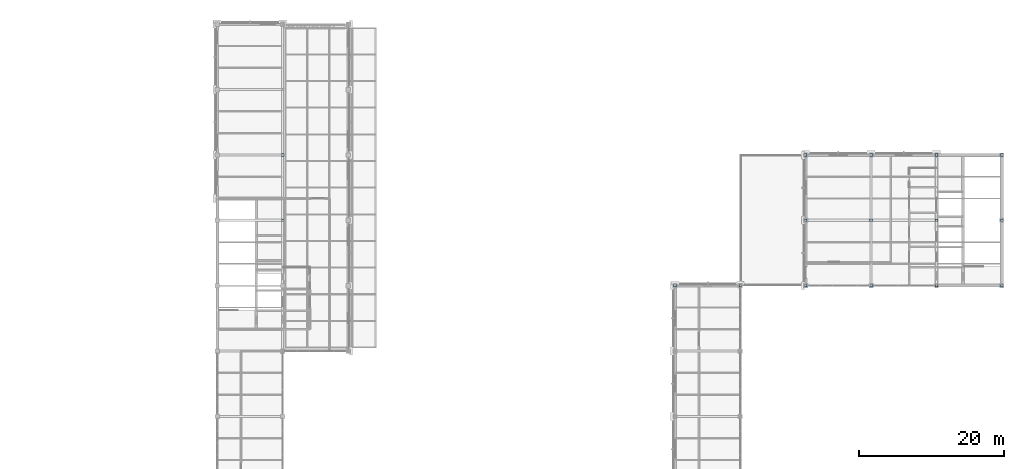
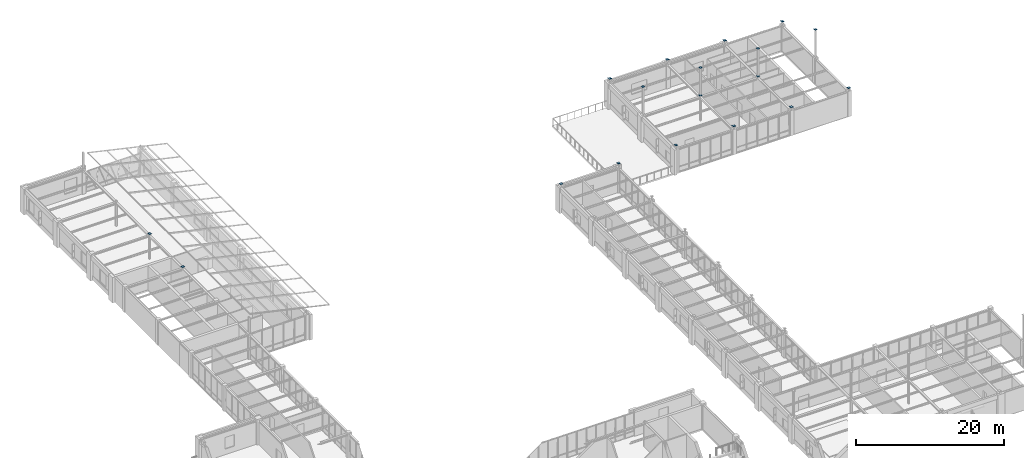
# One storey, part 79 of 97: 18 plates.
"""IFC4 building model written with IfcOpenShell, lengths in metres."""

from ifc_helpers import new_model, si_unit, direction, frame, origin, origin_2d, place, context, subcontext, project, spatial, rectangle, extrude, material, layer, layer_set, type_object, element, save


model = new_model("IFC4")

# Units and contexts
model_context = context("Model", 3, precision=1e-05, world=origin(), true_north=direction((0.0, 1.0)))
body_context = subcontext(model_context, "Body", "Model", "MODEL_VIEW")
ifc_project = project(units=[si_unit("LENGTHUNIT", "METRE"), si_unit("AREAUNIT", "SQUARE_METRE"), si_unit("VOLUMEUNIT", "CUBIC_METRE"), si_unit("PLANEANGLEUNIT", "RADIAN"), si_unit("MASSUNIT", "GRAM", prefix="KILO")], contexts=[model_context])

# Site, building, storey
site_placement = place(None, origin())
site = spatial("IfcSite", under=ifc_project, at=site_placement, CompositionType="ELEMENT")
building_placement = place(site_placement, origin())
building = spatial("IfcBuilding", under=site, at=building_placement, Name="Lykobir Media Centre", CompositionType="ELEMENT")
storey_placement = place(building_placement, frame((0.0, 0.0, 23.39990234375)))
storey = spatial("IfcBuildingStorey", under=building, at=storey_placement, Name="L05", CompositionType="ELEMENT", Elevation=23.39990234375)

# Plates
ifc_material = material(Name="Steel S355", Category="steel")
ifc_layer_1 = layer(ifc_material, 0.02001953125, Name="Steel S355")
ifc_layer_set_1 = layer_set([ifc_layer_1], Name="Steel S355")
plate_type_1 = type_object("IfcPlateType", Name="CP-320", PredefinedType="SHEET", material=ifc_layer_set_1)
for number, where, z_axis, x_axis, name in (
    (1, (90.0, 72.0, 4.46533203125), (0.0, 0.0, 1.0), (1.0, 0.0, 0.0), "Structural plate PLT-L05-0900-0720-0279"),
    (2, (99.0, 72.0, 4.72021484375), (0.0, 0.0, 1.0), (1.0, 0.0, 0.0), "Structural plate PLT-L05-0990-0720-0281"),
    (3, (108.0, 72.0, 4.570068359375), (0.0, 0.0, 1.0), (1.0, 0.0, 0.0), "Structural plate PLT-L05-1080-0720-0280"),
    (4, (108.0, 81.0, 8.766845703125), (0.0, 0.0, 1.0), (1.0, 0.0, 0.0), "Structural plate PLT-L05-1080-0810-0322"),
    (5, (108.0, 90.0, 4.663330078125), (0.0, 0.0, 1.0), (1.0, 0.0, 0.0), "Structural plate PLT-L05-1080-0900-0281"),
    (6, (117.0, 72.0, 4.570068359375), (0.0, 0.0, 1.0), (1.0, 0.0, 0.0), "Structural plate PLT-L05-1170-0720-0280"),
    (7, (117.0, 81.0, 8.766845703125), (0.0, 0.0, 1.0), (1.0, 0.0, 0.0), "Structural plate PLT-L05-1170-0810-0322"),
    (8, (117.0, 90.0, 4.663330078125), (0.0, 0.0, 1.0), (1.0, 0.0, 0.0), "Structural plate PLT-L05-1170-0900-0281"),
    (9, (126.0, 72.0, 4.570068359375), (0.0, 0.0, 1.0), (1.0, 0.0, 0.0), "Structural plate PLT-L05-1260-0720-0280"),
    (10, (126.0, 81.0, 8.766845703125), (0.0, 0.0, 1.0), (1.0, 0.0, 0.0), "Structural plate PLT-L05-1260-0810-0322"),
    (11, (126.0, 90.0, 4.663330078125), (0.0, 0.0, 1.0), (1.0, 0.0, 0.0), "Structural plate PLT-L05-1260-0900-0281"),
    (12, (135.0, 72.0, 4.570068359375), (0.0, 0.0, 1.0), (1.0, 0.0, 0.0), "Structural plate PLT-L05-1350-0720-0280"),
    (13, (135.0, 81.0, 8.766845703125), (0.0, 0.0, 1.0), (1.0, 0.0, 0.0), "Structural plate PLT-L05-1350-0810-0322"),
    (14, (135.0, 90.0, 4.663330078125), (0.0, 0.0, 1.0), (1.0, 0.0, 0.0), "Structural plate PLT-L05-1350-0900-0281"),
):
    element("IfcPlate", number, at=place(storey_placement, frame(where, z_axis=z_axis, x_axis=x_axis)), inside=storey, type_object=plate_type_1, Name=name, PredefinedType="SHEET", context=body_context, shape_type="SweptSolid", body=[
        extrude(rectangle(XDim=0.360107421875, YDim=0.360107421875, at=origin_2d()), origin(), (0.0, 0.0, 1.0), 0.02001953125),
    ])
ifc_layer_2 = layer(ifc_material, 0.02197265625, Name="Steel S355")
ifc_layer_set_2 = layer_set([ifc_layer_2], Name="Steel S355")
plate_type_2 = type_object("IfcPlateType", Name="CP-360", PredefinedType="SHEET", material=ifc_layer_set_2)
for number, where, z_axis, x_axis, name in (
    (15, (36.0, 81.0, 4.2001953125), (0.0, 0.0, 1.0), (1.0, 0.0, 0.0), "Structural plate PLT-L05-0360-0810-0276"),
    (16, (36.0, 90.0, 4.2001953125), (0.0, 0.0, 1.0), (1.0, 0.0, 0.0), "Structural plate PLT-L05-0360-0900-0276"),
    (17, (117.0, 81.0, 4.2001953125), (0.0, 0.0, 1.0), (1.0, 0.0, 0.0), "Structural plate PLT-L05-1170-0810-0276"),
    (18, (126.0, 81.0, 4.2001953125), (0.0, 0.0, 1.0), (1.0, 0.0, 0.0), "Structural plate PLT-L05-1260-0810-0276"),
):
    element("IfcPlate", number, at=place(storey_placement, frame(where, z_axis=z_axis, x_axis=x_axis)), inside=storey, type_object=plate_type_2, Name=name, PredefinedType="SHEET", context=body_context, shape_type="SweptSolid", body=[
        extrude(rectangle(XDim=0.3798828125, YDim=0.3798828125, at=origin_2d()), origin(), (0.0, 0.0, 1.0), 0.02197265625),
    ])

save(model, "model.ifc")
